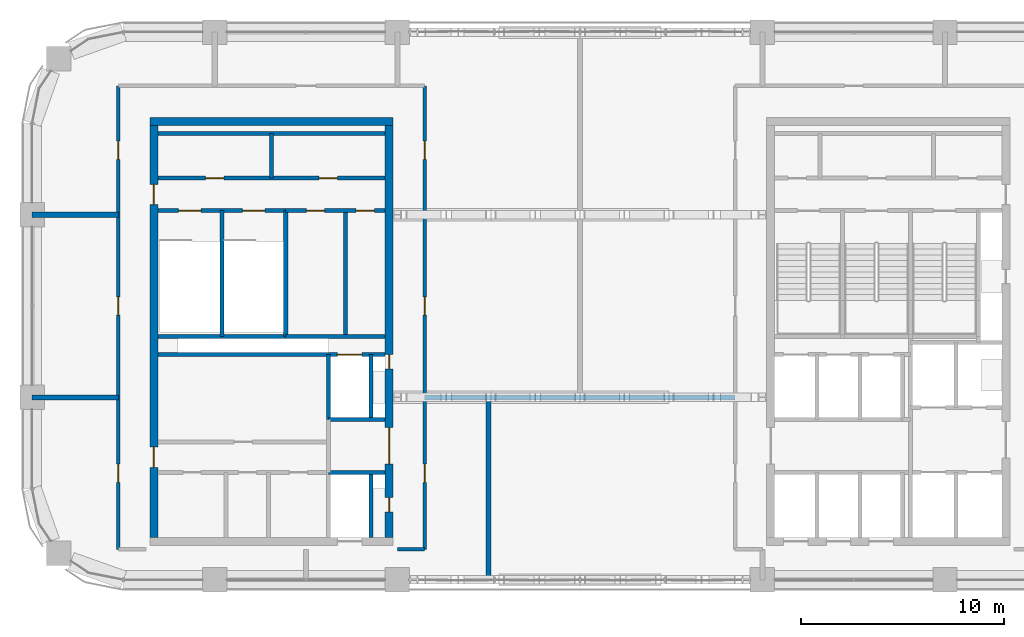
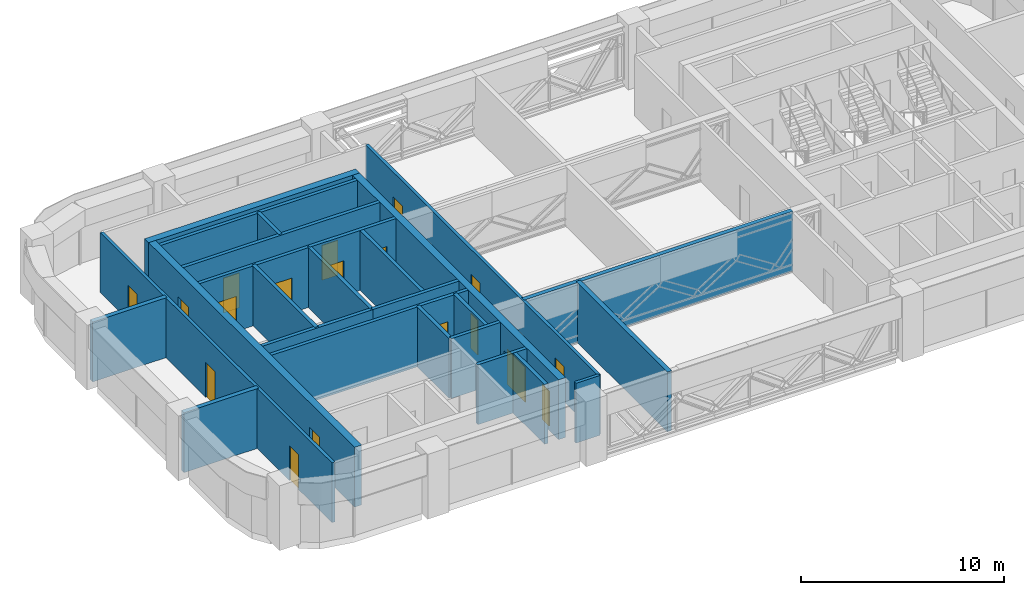
# One storey, part 9 of 12: 26 walls, 18 doors, 18 openings.
"""IFC4 building model written with IfcOpenShell, lengths in metres."""

from ifc_helpers import new_model, si_unit, direction, frame, frame_2d, origin, place, context, subcontext, project, spatial, rectangle, extrude, material, layer, layer_set, type_object, element, fill, save


model = new_model("IFC4")

# Units and contexts
model_context = context("Model", 3, precision=1e-05, world=origin(), true_north=direction((0.0, 1.0)))
body_context = subcontext(model_context, "Body", "Model", "MODEL_VIEW")
ifc_project = project(units=[si_unit("LENGTHUNIT", "METRE"), si_unit("AREAUNIT", "SQUARE_METRE"), si_unit("VOLUMEUNIT", "CUBIC_METRE"), si_unit("PLANEANGLEUNIT", "RADIAN"), si_unit("MASSUNIT", "GRAM", prefix="KILO")], contexts=[model_context])

# Site, building, storey
site_placement = place(None, origin())
site = spatial("IfcSite", under=ifc_project, at=site_placement, CompositionType="ELEMENT")
building_placement = place(site_placement, origin())
building = spatial("IfcBuilding", under=site, at=building_placement, Name="Tessera Arch", CompositionType="ELEMENT")
storey_placement = place(building_placement, frame((0.0, 0.0, 230.60009765625)))
storey = spatial("IfcBuildingStorey", under=building, at=storey_placement, Name="L55", CompositionType="ELEMENT", Elevation=230.60009765625)

# Walls
ifc_material_1 = material(Name="Gypsum board on steel stud", Category="steel")
ifc_layer_1 = layer(ifc_material_1, 0.125)
ifc_layer_set_1 = layer_set([ifc_layer_1], Name="Core partition 125 EI 60")
wall_type_1 = type_object("IfcWallType", Name="Core partition 125 EI 60", PredefinedType="PARTITIONING", material=ifc_layer_set_1)
wall_1_placement = place(storey_placement, frame((11.800048828125, 46.800048828125, 0.0), z_axis=(0.0, 0.0, 1.0), x_axis=(0.0, 1.0, 0.0)))
element("IfcWall", 1, at=wall_1_placement, inside=storey, type_object=wall_type_1, Name="L55 C2 partition wall 4", PredefinedType="PARTITIONING", context=body_context, shape_type="SweptSolid", body=[
    extrude(rectangle(XDim=2.199951171875, YDim=0.199951171875, at=frame_2d((1.10009765625, 0.0))), origin(), (0.0, 0.0, 1.0), 3.599853515625),
])
wall_2_placement = place(storey_placement, frame((15.43994140625, 39.0, 0.0), z_axis=(0.0, 0.0, 1.0), x_axis=(0.0, 1.0, 0.0)))
element("IfcWall", 2, at=wall_2_placement, inside=storey, type_object=wall_type_1, Name="L55 C2 partition wall 9", PredefinedType="PARTITIONING", context=body_context, shape_type="SweptSolid", body=[
    extrude(rectangle(XDim=6.199951171875, YDim=0.199951171875, at=frame_2d((3.10009765625, 0.0))), origin(), (0.0, 0.0, 1.0), 3.599853515625),
])

# Wall, openings, doors
wall_3_placement = place(storey_placement, frame((12.5, 45.199951171875, 0.0), z_axis=(0.0, 0.0, 1.0), x_axis=(1.0, 0.0, 0.0)))
wall_3 = element("IfcWall", 3, at=wall_3_placement, inside=storey, type_object=wall_type_1, Name="L55 C2 partition wall 19", PredefinedType="PARTITIONING", context=body_context, shape_type="SweptSolid", body=[
    extrude(rectangle(XDim=4.89990234375, YDim=0.199951171875, at=frame_2d((2.449951171875, 0.0))), origin(), (0.0, 0.0, 1.0), 3.599853515625),
])
opening_1_placement = place(wall_3_placement, frame((1.02001953125, 0.0, 0.0)))
opening_1 = element("IfcOpeningElement", 4, at=opening_1_placement, cuts=wall_3, Name="Opening L55-C32", PredefinedType="OPENING", context=body_context, shape_type="SweptSolid", body=[
    extrude(rectangle(XDim=0.89990234375, YDim=2.10009765625, at=frame_2d((0.449951171875, 1.050048828125))), frame((0.0, 0.10986328125, 0.0), z_axis=(0.0, -1.0, 0.0), x_axis=(1.0, 0.0, 0.0)), (0.0, 0.0, 1.0), 0.219970703125),
])
opening_2_placement = place(wall_3_placement, frame((3.469970703125, 0.0, 0.0)))
opening_2 = element("IfcOpeningElement", 5, at=opening_2_placement, cuts=wall_3, Name="Opening L55-C33", PredefinedType="OPENING", context=body_context, shape_type="SweptSolid", body=[
    extrude(rectangle(XDim=0.89990234375, YDim=2.10009765625, at=frame_2d((0.449951171875, 1.050048828125))), frame((0.0, 0.10986328125, 0.0), z_axis=(0.0, -1.0, 0.0), x_axis=(1.0, 0.0, 0.0)), (0.0, 0.0, 1.0), 0.219970703125),
])
ifc_material_2 = material(Name="Steel door leaf", Category="steel")
door_type_1 = type_object("IfcDoorType", Name="Store door FD30S 900 x 2100", OperationType="SINGLE_SWING_LEFT", PredefinedType="DOOR", material=ifc_material_2)
door_1_placement = place(opening_1_placement, origin())
door_1 = element("IfcDoor", 6, at=door_1_placement, inside=storey, type_object=door_type_1, Name="L55 C2 door 12 C32 type D09", OperationType="SINGLE_SWING_LEFT", OverallHeight=2.10009765625, OverallWidth=0.89990234375, PredefinedType="DOOR", context=body_context, shape_type="SweptSolid", body=[
    extrude(rectangle(XDim=0.89990234375, YDim=2.10009765625, at=frame_2d((0.449951171875, 1.050048828125))), frame((0.0, 0.02490234375, 0.0), z_axis=(0.0, -1.0, 0.0), x_axis=(1.0, 0.0, 0.0)), (0.0, 0.0, 1.0), 0.050048828125),
])
fill(opening_1, door_1)
door_2_placement = place(opening_2_placement, origin())
door_2 = element("IfcDoor", 7, at=door_2_placement, inside=storey, type_object=door_type_1, Name="L55 C2 door 13 C33 type D09", OperationType="SINGLE_SWING_RIGHT", OverallHeight=2.10009765625, OverallWidth=0.89990234375, PredefinedType="DOOR", context=body_context, shape_type="SweptSolid", body=[
    extrude(rectangle(XDim=0.89990234375, YDim=2.10009765625, at=frame_2d((0.449951171875, 1.050048828125))), frame((0.0, 0.02490234375, 0.0), z_axis=(0.0, -1.0, 0.0), x_axis=(1.0, 0.0, 0.0)), (0.0, 0.0, 1.0), 0.050048828125),
])
fill(opening_2, door_2)

wall_4_placement = place(storey_placement, frame((6.199951171875, 46.800048828125, 0.0), z_axis=(0.0, 0.0, 1.0), x_axis=(1.0, 0.0, 0.0)))
wall_4 = element("IfcWall", 8, at=wall_4_placement, inside=storey, type_object=wall_type_1, Name="L55 C2 partition wall 21", PredefinedType="PARTITIONING", context=body_context, shape_type="SweptSolid", body=[
    extrude(rectangle(XDim=11.199951171875, YDim=0.199951171875, at=frame_2d((5.60009765625, 0.0))), origin(), (0.0, 0.0, 1.0), 3.599853515625),
])
opening_3_placement = place(wall_4_placement, frame((2.35009765625, 0.0, 0.0)))
opening_3 = element("IfcOpeningElement", 9, at=opening_3_placement, cuts=wall_4, Name="Opening L55-C30", PredefinedType="OPENING", context=body_context, shape_type="SweptSolid", body=[
    extrude(rectangle(XDim=0.89990234375, YDim=2.10009765625, at=frame_2d((0.449951171875, 1.050048828125))), frame((0.0, 0.10986328125, 0.0), z_axis=(0.0, -1.0, 0.0), x_axis=(1.0, 0.0, 0.0)), (0.0, 0.0, 1.0), 0.219970703125),
])
opening_4_placement = place(wall_4_placement, frame((7.949951171875, 0.0, 0.0)))
opening_4 = element("IfcOpeningElement", 10, at=opening_4_placement, cuts=wall_4, Name="Opening L55-C31", PredefinedType="OPENING", context=body_context, shape_type="SweptSolid", body=[
    extrude(rectangle(XDim=0.89990234375, YDim=2.10009765625, at=frame_2d((0.449951171875, 1.050048828125))), frame((0.0, 0.10986328125, 0.0), z_axis=(0.0, -1.0, 0.0), x_axis=(1.0, 0.0, 0.0)), (0.0, 0.0, 1.0), 0.219970703125),
])
door_3_placement = place(opening_3_placement, origin())
door_3 = element("IfcDoor", 11, at=door_3_placement, inside=storey, type_object=door_type_1, Name="L55 C2 door 10 C30 type D09", OperationType="SINGLE_SWING_LEFT", OverallHeight=2.10009765625, OverallWidth=0.89990234375, PredefinedType="DOOR", context=body_context, shape_type="SweptSolid", body=[
    extrude(rectangle(XDim=0.89990234375, YDim=2.10009765625, at=frame_2d((0.449951171875, 1.050048828125))), frame((0.0, 0.02490234375, 0.0), z_axis=(0.0, -1.0, 0.0), x_axis=(1.0, 0.0, 0.0)), (0.0, 0.0, 1.0), 0.050048828125),
])
fill(opening_3, door_3)
door_4_placement = place(opening_4_placement, origin())
door_4 = element("IfcDoor", 12, at=door_4_placement, inside=storey, type_object=door_type_1, Name="L55 C2 door 11 C31 type D09", OperationType="SINGLE_SWING_RIGHT", OverallHeight=2.10009765625, OverallWidth=0.89990234375, PredefinedType="DOOR", context=body_context, shape_type="SweptSolid", body=[
    extrude(rectangle(XDim=0.89990234375, YDim=2.10009765625, at=frame_2d((0.449951171875, 1.050048828125))), frame((0.0, 0.02490234375, 0.0), z_axis=(0.0, -1.0, 0.0), x_axis=(1.0, 0.0, 0.0)), (0.0, 0.0, 1.0), 0.050048828125),
])
fill(opening_4, door_4)

# Walls
wall_5_placement = place(storey_placement, frame((6.199951171875, 49.0, 0.0), z_axis=(0.0, 0.0, 1.0), x_axis=(1.0, 0.0, 0.0)))
element("IfcWall", 13, at=wall_5_placement, inside=storey, type_object=wall_type_1, Name="L55 C2 partition wall 22", PredefinedType="PARTITIONING", context=body_context, shape_type="SweptSolid", body=[
    extrude(rectangle(XDim=11.199951171875, YDim=0.199951171875, at=frame_2d((5.60009765625, 0.0))), origin(), (0.0, 0.0, 1.0), 3.599853515625),
])
ifc_material_3 = material(Name="Concrete C50/60", Category="concrete")
ifc_layer_2 = layer(ifc_material_3, 0.39990234375)
ifc_layer_set_2 = layer_set([ifc_layer_2], Name="Core shell wall 400 C50-60")
wall_type_2 = type_object("IfcWallType", Name="Core shell wall 400 C50-60", PredefinedType="SHEAR", material=ifc_layer_set_2)
wall_6_placement = place(storey_placement, frame((5.800048828125, 49.60009765625, 0.0), z_axis=(0.0, 0.0, 1.0), x_axis=(1.0, 0.0, 0.0)))
element("IfcWall", 14, at=wall_6_placement, inside=storey, type_object=wall_type_2, Name="L55 C2 core wall N", PredefinedType="SHEAR", context=body_context, shape_type="SweptSolid", body=[
    extrude(rectangle(XDim=12.0, YDim=0.39990234375, at=frame_2d((6.0, 0.0))), origin(), (0.0, 0.0, 1.0), 3.599853515625),
])

# Wall, openings, doors
wall_7_placement = place(storey_placement, frame((6.0, 29.10009765625, 0.0), z_axis=(0.0, 0.0, 1.0), x_axis=(0.0, 1.0, 0.0)))
wall_7 = element("IfcWall", 15, at=wall_7_placement, inside=storey, type_object=wall_type_2, Name="L55 C2 core wall W", PredefinedType="SHEAR", context=body_context, shape_type="SweptSolid", body=[
    extrude(rectangle(XDim=20.2998046875, YDim=0.39990234375, at=frame_2d((10.14990234375, 0.0))), origin(), (0.0, 0.0, 1.0), 3.599853515625),
])
opening_5_placement = place(wall_7_placement, frame((3.449951171875, 0.0, 0.0)))
opening_5 = element("IfcOpeningElement", 16, at=opening_5_placement, cuts=wall_7, Name="Opening L55-C28", PredefinedType="OPENING", context=body_context, shape_type="SweptSolid", body=[
    extrude(rectangle(XDim=1.0, YDim=2.10009765625, at=frame_2d((0.5, 1.050048828125))), frame((0.0, 0.2099609375, 0.0), z_axis=(0.0, -1.0, 0.0), x_axis=(1.0, 0.0, 0.0)), (0.0, 0.0, 1.0), 0.419921875),
])
opening_6_placement = place(wall_7_placement, frame((16.39990234375, 0.0, 0.0)))
opening_6 = element("IfcOpeningElement", 17, at=opening_6_placement, cuts=wall_7, Name="Opening L55-C29", PredefinedType="OPENING", context=body_context, shape_type="SweptSolid", body=[
    extrude(rectangle(XDim=1.0, YDim=2.10009765625, at=frame_2d((0.5, 1.050048828125))), frame((0.0, 0.2099609375, 0.0), z_axis=(0.0, -1.0, 0.0), x_axis=(1.0, 0.0, 0.0)), (0.0, 0.0, 1.0), 0.419921875),
])
ifc_material_4 = material(Name="Steel door leaf", Category="steel")
door_type_2 = type_object("IfcDoorType", Name="Corridor door FD60 1000 x 2100", OperationType="SINGLE_SWING_LEFT", PredefinedType="DOOR", material=ifc_material_4)
door_5_placement = place(opening_5_placement, origin())
door_5 = element("IfcDoor", 18, at=door_5_placement, inside=storey, type_object=door_type_2, Name="L55 C2 door 8 C28 type D12", OperationType="SINGLE_SWING_LEFT", OverallHeight=2.10009765625, OverallWidth=1.0, PredefinedType="DOOR", context=body_context, shape_type="SweptSolid", body=[
    extrude(rectangle(XDim=1.0, YDim=2.10009765625, at=frame_2d((0.5, 1.050048828125))), frame((0.0, 0.02490234375, 0.0), z_axis=(0.0, -1.0, 0.0), x_axis=(1.0, 0.0, 0.0)), (0.0, 0.0, 1.0), 0.050048828125),
])
fill(opening_5, door_5)
door_6_placement = place(opening_6_placement, origin())
door_6 = element("IfcDoor", 19, at=door_6_placement, inside=storey, type_object=door_type_2, Name="L55 C2 door 9 C29 type D12", OperationType="SINGLE_SWING_RIGHT", OverallHeight=2.10009765625, OverallWidth=1.0, PredefinedType="DOOR", context=body_context, shape_type="SweptSolid", body=[
    extrude(rectangle(XDim=1.0, YDim=2.10009765625, at=frame_2d((0.5, 1.050048828125))), frame((0.0, 0.02490234375, 0.0), z_axis=(0.0, -1.0, 0.0), x_axis=(1.0, 0.0, 0.0)), (0.0, 0.0, 1.0), 0.050048828125),
])
fill(opening_6, door_6)

wall_8_placement = place(storey_placement, frame((17.60009765625, 29.10009765625, 0.0), z_axis=(0.0, 0.0, 1.0), x_axis=(0.0, 1.0, 0.0)))
wall_8 = element("IfcWall", 20, at=wall_8_placement, inside=storey, type_object=wall_type_2, Name="L55 C2 core wall E", PredefinedType="SHEAR", context=body_context, shape_type="SweptSolid", body=[
    extrude(rectangle(XDim=20.2998046875, YDim=0.39990234375, at=frame_2d((10.14990234375, 0.0))), origin(), (0.0, 0.0, 1.0), 3.599853515625),
])
opening_7_placement = place(wall_8_placement, frame((1.25, 0.0, 0.0)))
opening_7 = element("IfcOpeningElement", 21, at=opening_7_placement, cuts=wall_8, Name="Opening L55-C23", PredefinedType="OPENING", context=body_context, shape_type="SweptSolid", body=[
    extrude(rectangle(XDim=0.699951171875, YDim=2.10009765625, at=frame_2d((0.35009765625, 1.050048828125))), frame((0.0, 0.2099609375, 0.0), z_axis=(0.0, -1.0, 0.0), x_axis=(1.0, 0.0, 0.0)), (0.0, 0.0, 1.0), 0.419921875),
])
opening_8_placement = place(wall_8_placement, frame((8.300048828125, 0.0, 0.0)))
opening_8 = element("IfcOpeningElement", 22, at=opening_8_placement, cuts=wall_8, Name="Opening L55-C24", PredefinedType="OPENING", context=body_context, shape_type="SweptSolid", body=[
    extrude(rectangle(XDim=0.699951171875, YDim=2.10009765625, at=frame_2d((0.35009765625, 1.050048828125))), frame((0.0, 0.2099609375, 0.0), z_axis=(0.0, -1.0, 0.0), x_axis=(1.0, 0.0, 0.0)), (0.0, 0.0, 1.0), 0.419921875),
])
opening_9_placement = place(wall_8_placement, frame((3.60009765625, 0.0, 0.0)))
opening_9 = element("IfcOpeningElement", 23, at=opening_9_placement, cuts=wall_8, Name="Opening L55-C27", PredefinedType="OPENING", context=body_context, shape_type="SweptSolid", body=[
    extrude(rectangle(XDim=1.800048828125, YDim=2.10009765625, at=frame_2d((0.89990234375, 1.050048828125))), frame((0.0, 0.2099609375, 0.0), z_axis=(0.0, -1.0, 0.0), x_axis=(1.0, 0.0, 0.0)), (0.0, 0.0, 1.0), 0.419921875),
])
ifc_material_5 = material(Name="Glazed steel door leaf", Category="steel")
door_type_3 = type_object("IfcDoorType", Name="Lobby double door FD30S 1800 x 2100", OperationType="DOUBLE_DOOR_SINGLE_SWING", PredefinedType="DOOR", material=ifc_material_5)
door_7_placement = place(opening_9_placement, origin())
door_7 = element("IfcDoor", 24, at=door_7_placement, inside=storey, type_object=door_type_3, Name="L55 C2 door 7 C27 type D06", OperationType="DOUBLE_DOOR_SINGLE_SWING", OverallHeight=2.10009765625, OverallWidth=1.800048828125, PredefinedType="DOOR", context=body_context, shape_type="SweptSolid", body=[
    extrude(rectangle(XDim=1.800048828125, YDim=2.10009765625, at=frame_2d((0.89990234375, 1.050048828125))), frame((0.0, 0.02490234375, 0.0), z_axis=(0.0, -1.0, 0.0), x_axis=(1.0, 0.0, 0.0)), (0.0, 0.0, 1.0), 0.050048828125),
])
fill(opening_9, door_7)
ifc_material_6 = material(Name="Steel door leaf", Category="steel")
door_type_4 = type_object("IfcDoorType", Name="Service shaft door FD60 700 x 2100", OperationType="SINGLE_SWING_LEFT", PredefinedType="DOOR", material=ifc_material_6)
door_8_placement = place(opening_7_placement, origin())
door_8 = element("IfcDoor", 25, at=door_8_placement, inside=storey, type_object=door_type_4, Name="L55 C2 door 3 C23 type D07", OperationType="SINGLE_SWING_LEFT", OverallHeight=2.10009765625, OverallWidth=0.699951171875, PredefinedType="DOOR", context=body_context, shape_type="SweptSolid", body=[
    extrude(rectangle(XDim=0.699951171875, YDim=2.10009765625, at=frame_2d((0.35009765625, 1.050048828125))), frame((0.0, 0.02490234375, 0.0), z_axis=(0.0, -1.0, 0.0), x_axis=(1.0, 0.0, 0.0)), (0.0, 0.0, 1.0), 0.050048828125),
])
fill(opening_7, door_8)
door_9_placement = place(opening_8_placement, origin())
door_9 = element("IfcDoor", 26, at=door_9_placement, inside=storey, type_object=door_type_4, Name="L55 C2 door 4 C24 type D07", OperationType="SINGLE_SWING_LEFT", OverallHeight=2.10009765625, OverallWidth=0.699951171875, PredefinedType="DOOR", context=body_context, shape_type="SweptSolid", body=[
    extrude(rectangle(XDim=0.699951171875, YDim=2.10009765625, at=frame_2d((0.35009765625, 1.050048828125))), frame((0.0, 0.02490234375, 0.0), z_axis=(0.0, -1.0, 0.0), x_axis=(1.0, 0.0, 0.0)), (0.0, 0.0, 1.0), 0.050048828125),
])
fill(opening_8, door_9)

# Wall
ifc_material_7 = material(Name="Gypsum board on deep steel stud with mineral wool", Category="steel")
ifc_layer_3 = layer(ifc_material_7, 0.175048828125)
ifc_layer_set_3 = layer_set([ifc_layer_3], Name="Corridor wall 175 EI 60")
wall_type_3 = type_object("IfcWallType", Name="Corridor wall 175 EI 60", PredefinedType="PARTITIONING", material=ifc_layer_set_3)
wall_9_placement = place(storey_placement, frame((18.0, 28.5, 0.0), z_axis=(0.0, 0.0, 1.0), x_axis=(1.0, 0.0, 0.0)))
element("IfcWall", 27, at=wall_9_placement, inside=storey, type_object=wall_type_3, Name="L55 partition 2", PredefinedType="PARTITIONING", context=body_context, shape_type="SweptSolid", body=[
    extrude(rectangle(XDim=1.35009765625, YDim=0.175048828125, at=frame_2d((0.675048828125, 0.0))), origin(), (0.0, 0.0, 1.0), 3.599853515625),
])

# Wall, openings, doors
wall_10_placement = place(storey_placement, frame((4.25, 28.5, 0.0), z_axis=(0.0, 0.0, 1.0), x_axis=(0.0, 1.0, 0.0)))
wall_10 = element("IfcWall", 28, at=wall_10_placement, inside=storey, type_object=wall_type_3, Name="L55 partition 7", PredefinedType="PARTITIONING", context=body_context, shape_type="SweptSolid", body=[
    extrude(rectangle(XDim=22.85009765625, YDim=0.175048828125, at=frame_2d((11.425048828125, 0.0))), origin(), (0.0, 0.0, 1.0), 3.599853515625),
])
opening_10_placement = place(wall_10_placement, frame((3.300048828125, 0.0, 0.0)))
opening_10 = element("IfcOpeningElement", 29, at=opening_10_placement, cuts=wall_10, Name="Opening L55-D003", PredefinedType="OPENING", context=body_context, shape_type="SweptSolid", body=[
    extrude(rectangle(XDim=0.89990234375, YDim=2.10009765625, at=frame_2d((0.449951171875, 1.050048828125))), frame((0.0, 0.097412109375, 0.0), z_axis=(0.0, -1.0, 0.0), x_axis=(1.0, 0.0, 0.0)), (0.0, 0.0, 1.0), 0.195068359375),
])
opening_11_placement = place(wall_10_placement, frame((11.550048828125, 0.0, 0.0)))
opening_11 = element("IfcOpeningElement", 30, at=opening_11_placement, cuts=wall_10, Name="Opening L55-D005", PredefinedType="OPENING", context=body_context, shape_type="SweptSolid", body=[
    extrude(rectangle(XDim=0.89990234375, YDim=2.10009765625, at=frame_2d((0.449951171875, 1.050048828125))), frame((0.0, 0.097412109375, 0.0), z_axis=(0.0, -1.0, 0.0), x_axis=(1.0, 0.0, 0.0)), (0.0, 0.0, 1.0), 0.195068359375),
])
opening_12_placement = place(wall_10_placement, frame((19.22509765625, 0.0, 0.0)))
opening_12 = element("IfcOpeningElement", 31, at=opening_12_placement, cuts=wall_10, Name="Opening L55-D011", PredefinedType="OPENING", context=body_context, shape_type="SweptSolid", body=[
    extrude(rectangle(XDim=0.89990234375, YDim=2.10009765625, at=frame_2d((0.449951171875, 1.050048828125))), frame((0.0, 0.097412109375, 0.0), z_axis=(0.0, -1.0, 0.0), x_axis=(1.0, 0.0, 0.0)), (0.0, 0.0, 1.0), 0.195068359375),
])
ifc_material_8 = material(Name="Timber door leaf", Category="wood")
door_type_5 = type_object("IfcDoorType", Name="Room door 900 x 2100", OperationType="SINGLE_SWING_LEFT", PredefinedType="DOOR", material=ifc_material_8)
door_10_placement = place(opening_10_placement, origin())
door_10 = element("IfcDoor", 32, at=door_10_placement, inside=storey, type_object=door_type_5, Name="L55 door D003 type D01", OperationType="SINGLE_SWING_LEFT", OverallHeight=2.10009765625, OverallWidth=0.89990234375, PredefinedType="DOOR", context=body_context, shape_type="SweptSolid", body=[
    extrude(rectangle(XDim=0.89990234375, YDim=2.10009765625, at=frame_2d((0.449951171875, 1.050048828125))), frame((0.0, 0.02490234375, 0.0), z_axis=(0.0, -1.0, 0.0), x_axis=(1.0, 0.0, 0.0)), (0.0, 0.0, 1.0), 0.050048828125),
])
fill(opening_10, door_10)
door_11_placement = place(opening_11_placement, origin())
door_11 = element("IfcDoor", 33, at=door_11_placement, inside=storey, type_object=door_type_5, Name="L55 door D005 type D01", OperationType="SINGLE_SWING_LEFT", OverallHeight=2.10009765625, OverallWidth=0.89990234375, PredefinedType="DOOR", context=body_context, shape_type="SweptSolid", body=[
    extrude(rectangle(XDim=0.89990234375, YDim=2.10009765625, at=frame_2d((0.449951171875, 1.050048828125))), frame((0.0, 0.02490234375, 0.0), z_axis=(0.0, -1.0, 0.0), x_axis=(1.0, 0.0, 0.0)), (0.0, 0.0, 1.0), 0.050048828125),
])
fill(opening_11, door_11)
door_12_placement = place(opening_12_placement, origin())
door_12 = element("IfcDoor", 34, at=door_12_placement, inside=storey, type_object=door_type_5, Name="L55 door D011 type D01", OperationType="SINGLE_SWING_LEFT", OverallHeight=2.10009765625, OverallWidth=0.89990234375, PredefinedType="DOOR", context=body_context, shape_type="SweptSolid", body=[
    extrude(rectangle(XDim=0.89990234375, YDim=2.10009765625, at=frame_2d((0.449951171875, 1.050048828125))), frame((0.0, 0.02490234375, 0.0), z_axis=(0.0, -1.0, 0.0), x_axis=(1.0, 0.0, 0.0)), (0.0, 0.0, 1.0), 0.050048828125),
])
fill(opening_12, door_12)

wall_11_placement = place(storey_placement, frame((19.35009765625, 28.5, 0.0), z_axis=(0.0, 0.0, 1.0), x_axis=(0.0, 1.0, 0.0)))
wall_11 = element("IfcWall", 35, at=wall_11_placement, inside=storey, type_object=wall_type_3, Name="L55 partition 8", PredefinedType="PARTITIONING", context=body_context, shape_type="SweptSolid", body=[
    extrude(rectangle(XDim=22.85009765625, YDim=0.175048828125, at=frame_2d((11.425048828125, 0.0))), origin(), (0.0, 0.0, 1.0), 3.599853515625),
])
opening_13_placement = place(wall_11_placement, frame((3.300048828125, 0.0, 0.0)))
opening_13 = element("IfcOpeningElement", 36, at=opening_13_placement, cuts=wall_11, Name="Opening L55-D002", PredefinedType="OPENING", context=body_context, shape_type="SweptSolid", body=[
    extrude(rectangle(XDim=0.89990234375, YDim=2.10009765625, at=frame_2d((0.449951171875, 1.050048828125))), frame((0.0, 0.097412109375, 0.0), z_axis=(0.0, -1.0, 0.0), x_axis=(1.0, 0.0, 0.0)), (0.0, 0.0, 1.0), 0.195068359375),
])
opening_14_placement = place(wall_11_placement, frame((11.550048828125, 0.0, 0.0)))
opening_14 = element("IfcOpeningElement", 37, at=opening_14_placement, cuts=wall_11, Name="Opening L55-D006", PredefinedType="OPENING", context=body_context, shape_type="SweptSolid", body=[
    extrude(rectangle(XDim=0.89990234375, YDim=2.10009765625, at=frame_2d((0.449951171875, 1.050048828125))), frame((0.0, 0.097412109375, 0.0), z_axis=(0.0, -1.0, 0.0), x_axis=(1.0, 0.0, 0.0)), (0.0, 0.0, 1.0), 0.195068359375),
])
opening_15_placement = place(wall_11_placement, frame((19.22509765625, 0.0, 0.0)))
opening_15 = element("IfcOpeningElement", 38, at=opening_15_placement, cuts=wall_11, Name="Opening L55-D009", PredefinedType="OPENING", context=body_context, shape_type="SweptSolid", body=[
    extrude(rectangle(XDim=0.89990234375, YDim=2.10009765625, at=frame_2d((0.449951171875, 1.050048828125))), frame((0.0, 0.097412109375, 0.0), z_axis=(0.0, -1.0, 0.0), x_axis=(1.0, 0.0, 0.0)), (0.0, 0.0, 1.0), 0.195068359375),
])
door_13_placement = place(opening_13_placement, origin())
door_13 = element("IfcDoor", 39, at=door_13_placement, inside=storey, type_object=door_type_5, Name="L55 door D002 type D01", OperationType="SINGLE_SWING_LEFT", OverallHeight=2.10009765625, OverallWidth=0.89990234375, PredefinedType="DOOR", context=body_context, shape_type="SweptSolid", body=[
    extrude(rectangle(XDim=0.89990234375, YDim=2.10009765625, at=frame_2d((0.449951171875, 1.050048828125))), frame((0.0, 0.02490234375, 0.0), z_axis=(0.0, -1.0, 0.0), x_axis=(1.0, 0.0, 0.0)), (0.0, 0.0, 1.0), 0.050048828125),
])
fill(opening_13, door_13)
door_14_placement = place(opening_14_placement, origin())
door_14 = element("IfcDoor", 40, at=door_14_placement, inside=storey, type_object=door_type_5, Name="L55 door D006 type D01", OperationType="SINGLE_SWING_LEFT", OverallHeight=2.10009765625, OverallWidth=0.89990234375, PredefinedType="DOOR", context=body_context, shape_type="SweptSolid", body=[
    extrude(rectangle(XDim=0.89990234375, YDim=2.10009765625, at=frame_2d((0.449951171875, 1.050048828125))), frame((0.0, 0.02490234375, 0.0), z_axis=(0.0, -1.0, 0.0), x_axis=(1.0, 0.0, 0.0)), (0.0, 0.0, 1.0), 0.050048828125),
])
fill(opening_14, door_14)
door_15_placement = place(opening_15_placement, origin())
door_15 = element("IfcDoor", 41, at=door_15_placement, inside=storey, type_object=door_type_5, Name="L55 door D009 type D01", OperationType="SINGLE_SWING_RIGHT", OverallHeight=2.10009765625, OverallWidth=0.89990234375, PredefinedType="DOOR", context=body_context, shape_type="SweptSolid", body=[
    extrude(rectangle(XDim=0.89990234375, YDim=2.10009765625, at=frame_2d((0.449951171875, 1.050048828125))), frame((0.0, 0.02490234375, 0.0), z_axis=(0.0, -1.0, 0.0), x_axis=(1.0, 0.0, 0.0)), (0.0, 0.0, 1.0), 0.050048828125),
])
fill(opening_15, door_15)

# Walls
ifc_material_9 = material(Name="Double gypsum board on twin steel stud with acoustic mineral wool", Category="steel")
ifc_layer_4 = layer(ifc_material_9, 0.25)
ifc_layer_set_4 = layer_set([ifc_layer_4], Name="Party wall 250 EI 60")
wall_type_4 = type_object("IfcWallType", Name="Party wall 250 EI 60", PredefinedType="PARTITIONING", material=ifc_layer_set_4)
wall_12_placement = place(storey_placement, frame((0.0, 36.0, 0.0), z_axis=(0.0, 0.0, 1.0), x_axis=(1.0, 0.0, 0.0)))
element("IfcWall", 42, at=wall_12_placement, inside=storey, type_object=wall_type_4, Name="L55 partition 11", PredefinedType="PARTITIONING", context=body_context, shape_type="SweptSolid", body=[
    extrude(rectangle(XDim=4.25, YDim=0.25, at=frame_2d((2.125, 0.0))), origin(), (0.0, 0.0, 1.0), 3.599853515625),
])
wall_13_placement = place(storey_placement, frame((19.35009765625, 36.0, 0.0), z_axis=(0.0, 0.0, 1.0), x_axis=(1.0, 0.0, 0.0)))
element("IfcWall", 43, at=wall_13_placement, inside=storey, type_object=wall_type_4, Name="L55 partition 12", PredefinedType="PARTITIONING", context=body_context, shape_type="SweptSolid", body=[
    extrude(rectangle(XDim=15.2998046875, YDim=0.25, at=frame_2d((7.64990234375, 0.0))), origin(), (0.0, 0.0, 1.0), 3.599853515625),
])
wall_14_placement = place(storey_placement, frame((0.0, 45.0, 0.0), z_axis=(0.0, 0.0, 1.0), x_axis=(1.0, 0.0, 0.0)))
element("IfcWall", 44, at=wall_14_placement, inside=storey, type_object=wall_type_4, Name="L55 partition 14", PredefinedType="PARTITIONING", context=body_context, shape_type="SweptSolid", body=[
    extrude(rectangle(XDim=4.25, YDim=0.25, at=frame_2d((2.125, 0.0))), origin(), (0.0, 0.0, 1.0), 3.599853515625),
])
wall_15_placement = place(storey_placement, frame((22.5, 27.0, 0.0), z_axis=(0.0, 0.0, 1.0), x_axis=(0.0, 1.0, 0.0)))
element("IfcWall", 45, at=wall_15_placement, inside=storey, type_object=wall_type_4, Name="L55 partition 20", PredefinedType="PARTITIONING", context=body_context, shape_type="SweptSolid", body=[
    extrude(rectangle(XDim=9.0, YDim=0.25, at=frame_2d((4.5, 0.0))), origin(), (0.0, 0.0, 1.0), 3.599853515625),
])
ifc_material_10 = material(Name="Concrete C40/50", Category="concrete")
ifc_layer_5 = layer(ifc_material_10, 0.199951171875)
ifc_layer_set_5 = layer_set([ifc_layer_5], Name="Shaft wall 200 EI 120")
wall_type_5 = type_object("IfcWallType", Name="Shaft wall 200 EI 120", PredefinedType="SOLIDWALL", material=ifc_layer_set_5)
wall_16_placement = place(storey_placement, frame((14.60009765625, 34.89990234375, 0.0), z_axis=(0.0, 0.0, 1.0), x_axis=(0.0, 1.0, 0.0)))
element("IfcWall", 46, at=wall_16_placement, inside=storey, type_object=wall_type_5, Name="L55 C2 shaft wall 8", PredefinedType="SOLIDWALL", context=body_context, shape_type="SweptSolid", body=[
    extrude(rectangle(XDim=3.2001953125, YDim=0.199951171875, at=frame_2d((1.60009765625, 0.0))), origin(), (0.0, 0.0, 1.0), 3.599853515625),
])
wall_17_placement = place(storey_placement, frame((16.699951171875, 29.10009765625, 0.0), z_axis=(0.0, 0.0, 1.0), x_axis=(0.0, 1.0, 0.0)))
element("IfcWall", 47, at=wall_17_placement, inside=storey, type_object=wall_type_5, Name="L55 C2 shaft wall 10", PredefinedType="SOLIDWALL", context=body_context, shape_type="SweptSolid", body=[
    extrude(rectangle(XDim=3.199951171875, YDim=0.199951171875, at=frame_2d((1.60009765625, 0.0))), origin(), (0.0, 0.0, 1.0), 3.599853515625),
])
wall_18_placement = place(storey_placement, frame((16.699951171875, 34.89990234375, 0.0), z_axis=(0.0, 0.0, 1.0), x_axis=(0.0, 1.0, 0.0)))
element("IfcWall", 48, at=wall_18_placement, inside=storey, type_object=wall_type_5, Name="L55 C2 shaft wall 11", PredefinedType="SOLIDWALL", context=body_context, shape_type="SweptSolid", body=[
    extrude(rectangle(XDim=3.2001953125, YDim=0.199951171875, at=frame_2d((1.60009765625, 0.0))), origin(), (0.0, 0.0, 1.0), 3.599853515625),
])
for number, where, z_axis, x_axis, name in (
    (49, (14.60009765625, 32.300048828125, 0.0), (0.0, 0.0, 1.0), (1.0, 0.0, 0.0), "L55 C2 shaft wall 13"),
    (50, (14.60009765625, 34.89990234375, 0.0), (0.0, 0.0, 1.0), (1.0, 0.0, 0.0), "L55 C2 shaft wall 15"),
):
    element("IfcWall", number, at=place(storey_placement, frame(where, z_axis=z_axis, x_axis=x_axis)), inside=storey, type_object=wall_type_5, Name=name, PredefinedType="SOLIDWALL", context=body_context, shape_type="SweptSolid", body=[
        extrude(rectangle(XDim=2.7998046875, YDim=0.199951171875, at=frame_2d((1.39990234375, 0.0))), origin(), (0.0, 0.0, 1.0), 3.599853515625),
    ])

# Wall, opening, door
wall_19_placement = place(storey_placement, frame((6.199951171875, 38.10009765625, 0.0), z_axis=(0.0, 0.0, 1.0), x_axis=(1.0, 0.0, 0.0)))
wall_19 = element("IfcWall", 51, at=wall_19_placement, inside=storey, type_object=wall_type_5, Name="L55 C2 shaft wall 16", PredefinedType="SOLIDWALL", context=body_context, shape_type="SweptSolid", body=[
    extrude(rectangle(XDim=11.199951171875, YDim=0.199951171875, at=frame_2d((5.60009765625, 0.0))), origin(), (0.0, 0.0, 1.0), 3.599853515625),
])
opening_16_placement = place(wall_19_placement, frame((8.85009765625, 0.0, 0.0)))
opening_16 = element("IfcOpeningElement", 52, at=opening_16_placement, cuts=wall_19, Name="Opening L55-C22", PredefinedType="OPENING", context=body_context, shape_type="SweptSolid", body=[
    extrude(rectangle(XDim=1.199951171875, YDim=2.10009765625, at=frame_2d((0.60009765625, 1.050048828125))), frame((0.0, 0.10986328125, 0.0), z_axis=(0.0, -1.0, 0.0), x_axis=(1.0, 0.0, 0.0)), (0.0, 0.0, 1.0), 0.219970703125),
])
ifc_material_11 = material(Name="Stainless steel AISI 304", Category="steel")
door_type_6 = type_object("IfcDoorType", Name="Sliding landing door 1200 x 2100", OperationType="SLIDING_TO_LEFT", PredefinedType="DOOR", material=ifc_material_11)
door_16_placement = place(opening_16_placement, origin())
door_16 = element("IfcDoor", 53, at=door_16_placement, inside=storey, type_object=door_type_6, Name="L55 HR8 lift landing door C22 type LD", OperationType="SLIDING_TO_LEFT", OverallHeight=2.10009765625, OverallWidth=1.199951171875, PredefinedType="DOOR", context=body_context, shape_type="SweptSolid", body=[
    extrude(rectangle(XDim=1.199951171875, YDim=2.10009765625, at=frame_2d((0.60009765625, 1.050048828125))), frame((0.0, 0.02490234375, 0.0), z_axis=(0.0, -1.0, 0.0), x_axis=(1.0, 0.0, 0.0)), (0.0, 0.0, 1.0), 0.050048828125),
])
fill(opening_16, door_16)

# Walls
wall_20_placement = place(storey_placement, frame((12.5, 39.0, 0.0), z_axis=(0.0, 0.0, 1.0), x_axis=(1.0, 0.0, 0.0)))
element("IfcWall", 54, at=wall_20_placement, inside=storey, type_object=wall_type_5, Name="L55 C2 shaft wall 17", PredefinedType="SOLIDWALL", context=body_context, shape_type="SweptSolid", body=[
    extrude(rectangle(XDim=4.89990234375, YDim=0.199951171875, at=frame_2d((2.449951171875, 0.0))), origin(), (0.0, 0.0, 1.0), 3.599853515625),
])
ifc_material_12 = material(Name="Concrete C40/50", Category="concrete")
ifc_layer_6 = layer(ifc_material_12, 0.199951171875)
ifc_layer_set_6 = layer_set([ifc_layer_6], Name="Stair well wall 200 REI 180")
wall_type_6 = type_object("IfcWallType", Name="Stair well wall 200 REI 180", PredefinedType="SOLIDWALL", material=ifc_layer_set_6)
for number, where, z_axis, x_axis, name in (
    (55, (9.35009765625, 39.0, 0.0), (0.0, 0.0, 1.0), (0.0, 1.0, 0.0), "L55 C2 shaft wall 1"),
    (56, (12.5, 39.0, 0.0), (0.0, 0.0, 1.0), (0.0, 1.0, 0.0), "L55 C2 shaft wall 5"),
):
    element("IfcWall", number, at=place(storey_placement, frame(where, z_axis=z_axis, x_axis=x_axis)), inside=storey, type_object=wall_type_6, Name=name, PredefinedType="SOLIDWALL", context=body_context, shape_type="SweptSolid", body=[
        extrude(rectangle(XDim=6.199951171875, YDim=0.199951171875, at=frame_2d((3.10009765625, 0.0))), origin(), (0.0, 0.0, 1.0), 3.599853515625),
    ])
wall_21_placement = place(storey_placement, frame((6.199951171875, 39.0, 0.0), z_axis=(0.0, 0.0, 1.0), x_axis=(1.0, 0.0, 0.0)))
element("IfcWall", 57, at=wall_21_placement, inside=storey, type_object=wall_type_6, Name="L55 C2 shaft wall 18", PredefinedType="SOLIDWALL", context=body_context, shape_type="SweptSolid", body=[
    extrude(rectangle(XDim=6.300048828125, YDim=0.199951171875, at=frame_2d((3.14990234375, 0.0))), origin(), (0.0, 0.0, 1.0), 3.599853515625),
])

# Wall, openings, doors
wall_22_placement = place(storey_placement, frame((6.199951171875, 45.199951171875, 0.0), z_axis=(0.0, 0.0, 1.0), x_axis=(1.0, 0.0, 0.0)))
wall_22 = element("IfcWall", 58, at=wall_22_placement, inside=storey, type_object=wall_type_6, Name="L55 C2 shaft wall 20", PredefinedType="SOLIDWALL", context=body_context, shape_type="SweptSolid", body=[
    extrude(rectangle(XDim=6.300048828125, YDim=0.199951171875, at=frame_2d((3.14990234375, 0.0))), origin(), (0.0, 0.0, 1.0), 3.599853515625),
])
opening_17_placement = place(wall_22_placement, frame((1.02490234375, 0.0, 0.0)))
opening_17 = element("IfcOpeningElement", 59, at=opening_17_placement, cuts=wall_22, Name="Opening L55-C25", PredefinedType="OPENING", context=body_context, shape_type="SweptSolid", body=[
    extrude(rectangle(XDim=1.10009765625, YDim=2.10009765625, at=frame_2d((0.550048828125, 1.050048828125))), frame((0.0, 0.10986328125, 0.0), z_axis=(0.0, -1.0, 0.0), x_axis=(1.0, 0.0, 0.0)), (0.0, 0.0, 1.0), 0.219970703125),
])
opening_18_placement = place(wall_22_placement, frame((4.175048828125, 0.0, 0.0)))
opening_18 = element("IfcOpeningElement", 60, at=opening_18_placement, cuts=wall_22, Name="Opening L55-C26", PredefinedType="OPENING", context=body_context, shape_type="SweptSolid", body=[
    extrude(rectangle(XDim=1.10009765625, YDim=2.10009765625, at=frame_2d((0.550048828125, 1.050048828125))), frame((0.0, 0.10986328125, 0.0), z_axis=(0.0, -1.0, 0.0), x_axis=(1.0, 0.0, 0.0)), (0.0, 0.0, 1.0), 0.219970703125),
])
ifc_material_13 = material(Name="Steel door leaf", Category="steel")
door_type_7 = type_object("IfcDoorType", Name="Stair door FD60 1100 x 2100", OperationType="SINGLE_SWING_LEFT", PredefinedType="DOOR", material=ifc_material_13)
door_17_placement = place(opening_17_placement, origin())
door_17 = element("IfcDoor", 61, at=door_17_placement, inside=storey, type_object=door_type_7, Name="L55 C2 door 5 C25 type D05", OperationType="SINGLE_SWING_LEFT", OverallHeight=2.10009765625, OverallWidth=1.10009765625, PredefinedType="DOOR", context=body_context, shape_type="SweptSolid", body=[
    extrude(rectangle(XDim=1.10009765625, YDim=2.10009765625, at=frame_2d((0.550048828125, 1.050048828125))), frame((0.0, 0.02490234375, 0.0), z_axis=(0.0, -1.0, 0.0), x_axis=(1.0, 0.0, 0.0)), (0.0, 0.0, 1.0), 0.050048828125),
])
fill(opening_17, door_17)
door_18_placement = place(opening_18_placement, origin())
door_18 = element("IfcDoor", 62, at=door_18_placement, inside=storey, type_object=door_type_7, Name="L55 C2 door 6 C26 type D05", OperationType="SINGLE_SWING_RIGHT", OverallHeight=2.10009765625, OverallWidth=1.10009765625, PredefinedType="DOOR", context=body_context, shape_type="SweptSolid", body=[
    extrude(rectangle(XDim=1.10009765625, YDim=2.10009765625, at=frame_2d((0.550048828125, 1.050048828125))), frame((0.0, 0.02490234375, 0.0), z_axis=(0.0, -1.0, 0.0), x_axis=(1.0, 0.0, 0.0)), (0.0, 0.0, 1.0), 0.050048828125),
])
fill(opening_18, door_18)

save(model, "model.ifc")
